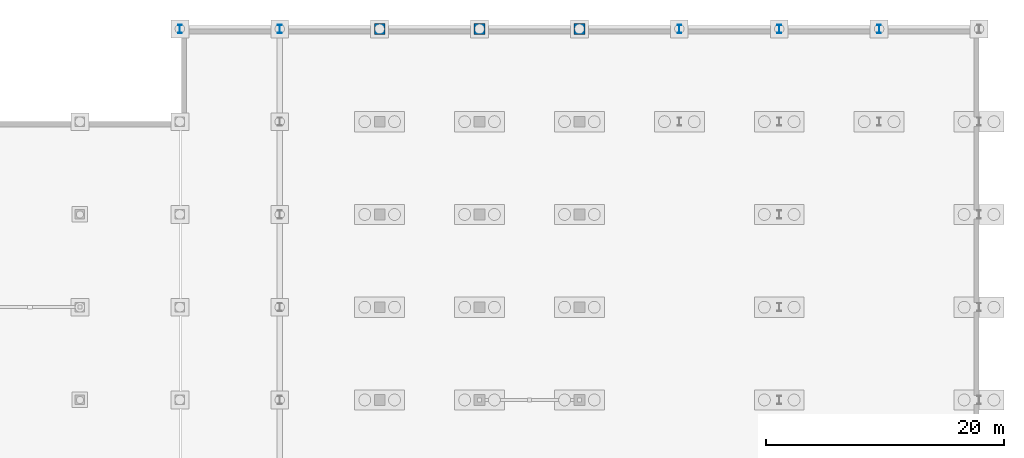
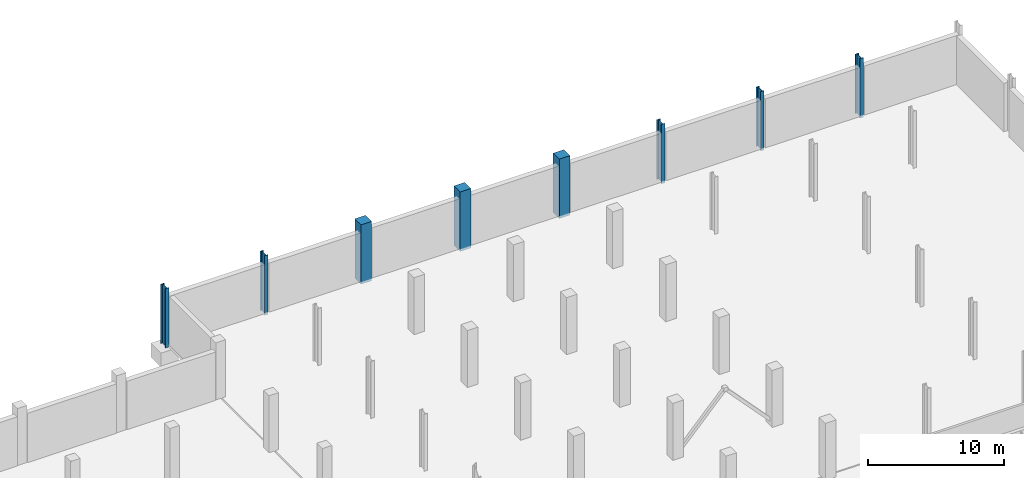
# One storey, part 22 of 48: 8 columns.
"""IFC4 building model written with IfcOpenShell, lengths in metres."""

from ifc_helpers import new_model, si_unit, direction, frame, origin, origin_2d, place, context, subcontext, project, spatial, rectangle, i_section, extrude, material, material_profile, profile_set, type_object, element, save


model = new_model("IFC4")

# Units and contexts
model_context = context("Model", 3, precision=1e-05, world=origin(), true_north=direction((0.0, 1.0)))
body_context = subcontext(model_context, "Body", "Model", "MODEL_VIEW")
ifc_project = project(units=[si_unit("LENGTHUNIT", "METRE"), si_unit("AREAUNIT", "SQUARE_METRE"), si_unit("VOLUMEUNIT", "CUBIC_METRE"), si_unit("PLANEANGLEUNIT", "RADIAN"), si_unit("MASSUNIT", "GRAM", prefix="KILO")], contexts=[model_context])

# Site, building, storey
site_placement = place(None, origin())
site = spatial("IfcSite", under=ifc_project, at=site_placement, CompositionType="ELEMENT")
building_placement = place(site_placement, origin())
building = spatial("IfcBuilding", under=site, at=building_placement, Name="Nabrawat Pavilion Hospital", CompositionType="ELEMENT")
storey_placement = place(building_placement, frame((0.0, 0.0, -5.10009765625)))
storey = spatial("IfcBuildingStorey", under=building, at=storey_placement, Name="B1", CompositionType="ELEMENT", Elevation=-5.10009765625)

# Columns
ifc_material_1 = material(Name="Steel S355", Category="steel")
ifc_material_profile_1 = material_profile(ifc_material_1, i_section(OverallWidth=0.300048828125, OverallDepth=0.699951171875, WebThickness=0.01708984375, FlangeThickness=0.031982421875, FilletRadius=0.027099609375, at=origin_2d()), Name="HEB 700")
ifc_profile_set_1 = profile_set([ifc_material_profile_1], Name="Steel S355")
column_type_1 = type_object("IfcColumnType", Name="Base Transfer Steel Column HEB 700", PredefinedType="COLUMN", material=ifc_profile_set_1)
for number, where, z_axis, x_axis, name in (
    (1, (126.0, 124.800048828125, -0.219970703125), (0.0, 0.0, 1.0), (1.0, 0.0, 0.0), "B1 Structural Column G-16A-S"),
    (2, (134.39990234375, 124.800048828125, -0.219970703125), (0.0, 0.0, 1.0), (1.0, 0.0, 0.0), "B1 Structural Column G-17-S"),
    (3, (168.0, 124.800048828125, -0.219970703125), (0.0, 0.0, 1.0), (1.0, 0.0, 0.0), "B1 Structural Column G-21-S"),
    (4, (176.39990234375, 124.800048828125, -0.219970703125), (0.0, 0.0, 1.0), (1.0, 0.0, 0.0), "B1 Structural Column G-22-S"),
    (5, (184.800048828125, 124.800048828125, -0.219970703125), (0.0, 0.0, 1.0), (1.0, 0.0, 0.0), "B1 Structural Column G-23-S"),
):
    element("IfcColumn", number, at=place(storey_placement, frame(where, z_axis=z_axis, x_axis=x_axis)), inside=storey, type_object=column_type_1, Name=name, PredefinedType="COLUMN", context=body_context, shape_type="SweptSolid", body=[
        extrude(i_section(OverallWidth=0.300048828125, OverallDepth=0.699951171875, WebThickness=0.01708984375, FlangeThickness=0.031982421875, FilletRadius=0.027099609375, at=origin_2d()), origin(), (0.0, 0.0, 1.0), 5.320068359375),
    ])
ifc_material_2 = material(Name="Concrete C40/50", Category="concrete")
ifc_material_profile_2 = material_profile(ifc_material_2, rectangle(XDim=0.89990234375, YDim=0.89990234375, at=origin_2d()), Name="RC 900x900")
ifc_profile_set_2 = profile_set([ifc_material_profile_2], Name="Concrete C40/50")
column_type_2 = type_object("IfcColumnType", Name="Lower Ward RC Column 900x900", PredefinedType="COLUMN", material=ifc_profile_set_2)
for number, where, z_axis, x_axis, name in (
    (6, (142.800048828125, 124.800048828125, -0.219970703125), (0.0, 0.0, 1.0), (1.0, 0.0, 0.0), "B1 Structural Column G-18-S"),
    (7, (151.199951171875, 124.800048828125, -0.219970703125), (0.0, 0.0, 1.0), (1.0, 0.0, 0.0), "B1 Structural Column G-19-S"),
    (8, (159.60009765625, 124.800048828125, -0.219970703125), (0.0, 0.0, 1.0), (1.0, 0.0, 0.0), "B1 Structural Column G-20-S"),
):
    element("IfcColumn", number, at=place(storey_placement, frame(where, z_axis=z_axis, x_axis=x_axis)), inside=storey, type_object=column_type_2, Name=name, PredefinedType="COLUMN", context=body_context, shape_type="SweptSolid", body=[
        extrude(rectangle(XDim=0.89990234375, YDim=0.89990234375, at=origin_2d()), origin(), (0.0, 0.0, 1.0), 5.320068359375),
    ])

save(model, "model.ifc")
